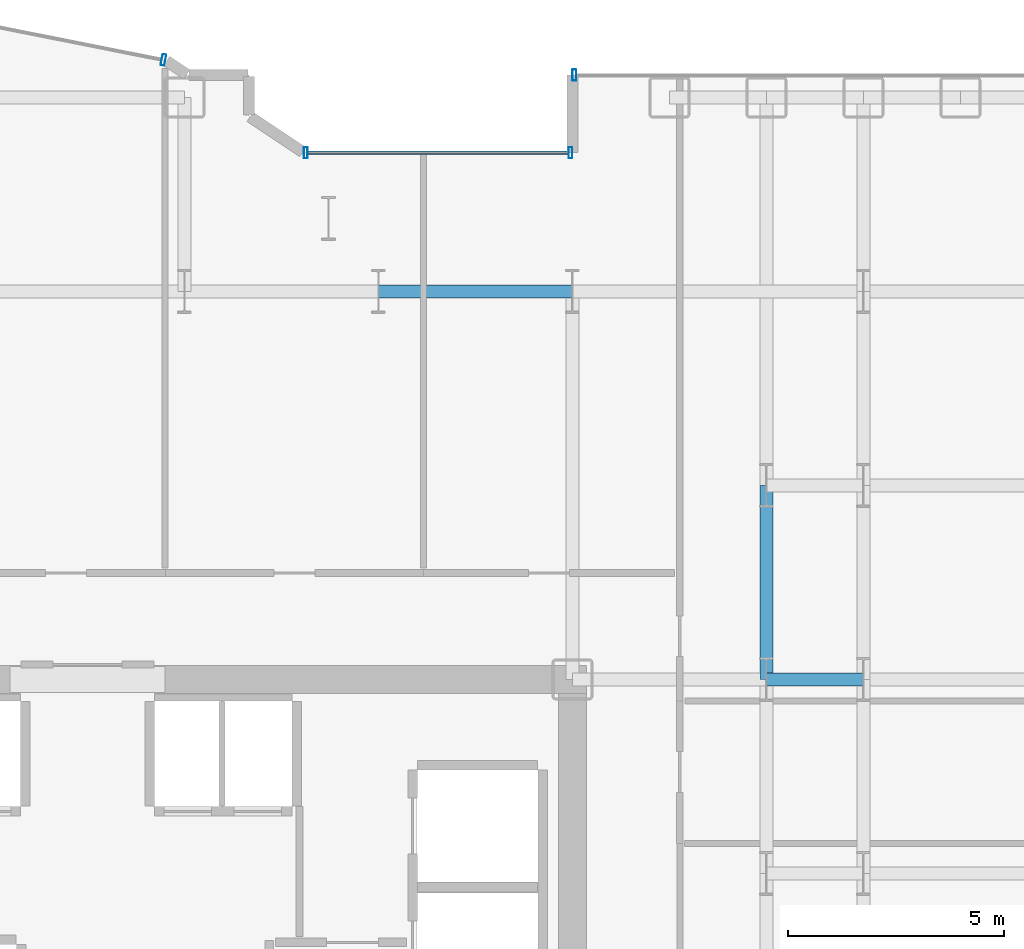
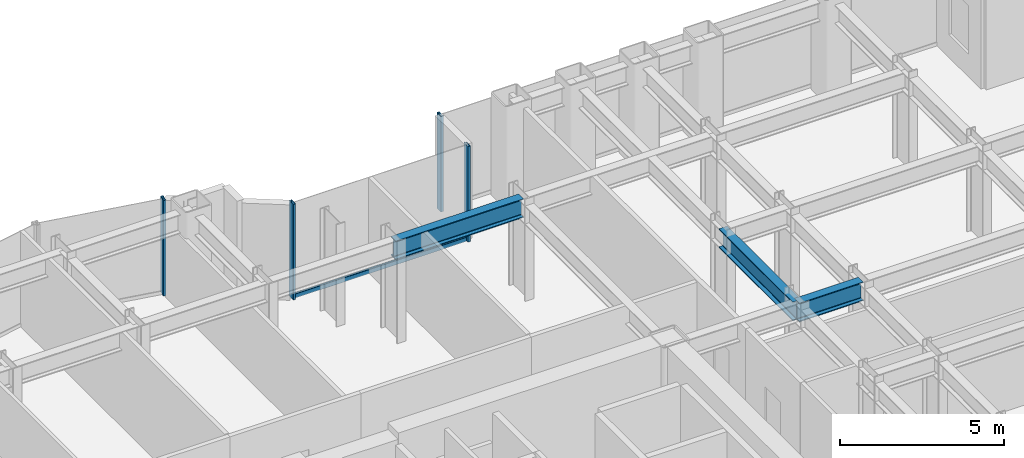
# One storey, part 12 of 26: 5 members, 3 beams, 3 elements without a shape of their own.
"""IFC4 building model written with IfcOpenShell, lengths in metres."""

import ifcopenshell
import ifcopenshell.guid

model = None  # the IFC model being written
_history = None  # IfcOwnerHistory: only IFC2X3 demands one
_inside = {}  # id of a spatial element -> (the spatial element, [elements in it])
_under = {}  # id of a project, library or spatial element -> (it, [spatial elements below it])
_declared = {}  # id of a project -> (the project, [libraries it declares])
_typed = {}  # id of a type object -> (the type object, [elements of that type])
_made_of = {}  # id of a material, layer set ... -> (it, [elements and type objects made of it])


def new_model(schema):
    """Start an empty IFC model of exactly this schema.

    Asked for "IFC4X3", IfcOpenShell would pick the latest addendum, in which some entities
    have other attributes; the version numbers below select the first issue.
    IFC2X3 requires an IfcOwnerHistory on every rooted entity: one is made here for all.
    """
    global model, _history
    if schema == "IFC4X3":
        model = ifcopenshell.file(schema_version=(4, 3, 0, 0))
    else:
        model = ifcopenshell.file(schema=schema)
    _inside.clear()
    _under.clear()
    _declared.clear()
    _typed.clear()
    _made_of.clear()
    _history = None
    if model.schema == "IFC2X3":
        org = make("IfcOrganization", Name="unknown")
        user = make(
            "IfcPersonAndOrganization",
            ThePerson=make("IfcPerson", FamilyName="unknown"),
            TheOrganization=org,
        )
        app = make(
            "IfcApplication",
            ApplicationDeveloper=org,
            Version="unknown",
            ApplicationFullName="unknown",
            ApplicationIdentifier="unknown",
        )
        _history = make(
            "IfcOwnerHistory",
            OwningUser=user,
            OwningApplication=app,
            ChangeAction="ADDED",
            CreationDate=0,
        )
    return model


def make(cls, **values):
    """One entity of the class cls with the attributes given. An attribute that is None is left unset."""
    return model.create_entity(
        cls, **{name: value for name, value in values.items() if value is not None}
    )


def rooted(cls, **values):
    """An entity with a GlobalId (a new one), such as an element, a storey or a relation."""
    return make(cls, GlobalId=ifcopenshell.guid.new(), OwnerHistory=_history, **values)


def si_unit(unit_type, name, prefix=None):
    """IfcSIUnit, for example si_unit("LENGTHUNIT", "METRE", prefix="MILLI")."""
    return make("IfcSIUnit", UnitType=unit_type, Prefix=prefix, Name=name)


def assignment(units):
    """IfcUnitAssignment: the units of a project."""
    return None if units is None else make("IfcUnitAssignment", Units=units)


def point(xyz):
    """IfcCartesianPoint."""
    return None if xyz is None else make("IfcCartesianPoint", Coordinates=xyz)


def direction(xyz):
    """IfcDirection."""
    return None if xyz is None else make("IfcDirection", DirectionRatios=xyz)


def frame(location, z_axis=None, x_axis=None):
    """IfcAxis2Placement3D, a coordinate frame: its origin and axes. An axis left out is left unset."""
    return make(
        "IfcAxis2Placement3D",
        Location=point(location),
        Axis=direction(z_axis),
        RefDirection=direction(x_axis),
    )


def frame_2d(location, x_axis=None):
    """IfcAxis2Placement2D, a coordinate frame in the plane: its origin and x axis."""
    return make(
        "IfcAxis2Placement2D", Location=point(location), RefDirection=direction(x_axis)
    )


def origin():
    """The frame at (0, 0, 0) with its axes left unset."""
    return frame((0.0, 0.0, 0.0))


def origin_2d():
    """The frame at (0, 0) in the plane with its x axis left unset."""
    return frame_2d((0.0, 0.0))


def place(relative_to, where):
    """IfcLocalPlacement: puts the frame where relative to a parent placement (None: the world)."""
    return make(
        "IfcLocalPlacement", PlacementRelTo=relative_to, RelativePlacement=where
    )


def context(
    kind, dimensions, precision=None, world=None, true_north=None, identifier=None
):
    """IfcGeometricRepresentationContext, for example the 3D "Model" context."""
    return make(
        "IfcGeometricRepresentationContext",
        ContextIdentifier=identifier,
        ContextType=kind,
        CoordinateSpaceDimension=dimensions,
        Precision=precision,
        WorldCoordinateSystem=world,
        TrueNorth=true_north,
    )


def subcontext(parent, identifier, kind, view, scale=None):
    """IfcGeometricRepresentationSubContext, for example "Body" below "Model"."""
    return make(
        "IfcGeometricRepresentationSubContext",
        ContextIdentifier=identifier,
        ContextType=kind,
        ParentContext=parent,
        TargetScale=scale,
        TargetView=view,
    )


def project(units=None, contexts=None):
    """IfcProject with its units and contexts."""
    return rooted(
        "IfcProject",
        Name="project",
        RepresentationContexts=contexts,
        UnitsInContext=assignment(units),
    )


def spatial(cls, under=None, at=None, **own):
    """A site, building, storey or space (cls), placed at a placement, below another one or the project."""
    s = rooted(cls, ObjectPlacement=at, **own)
    if under is not None:
        _under.setdefault(under.id(), (under, []))[1].append(s)
    return s


def profile(cls, at=None, kind="AREA", **sizes):
    """A parametric profile (cls). Its sizes go by their IFC names, for example OverallWidth=200.0."""
    return make(cls, ProfileType=kind, Position=at, **sizes)


def hollow_rectangle(**sizes):
    """IfcRectangleHollowProfileDef."""
    return profile("IfcRectangleHollowProfileDef", **sizes)


def i_section(**sizes):
    """IfcIShapeProfileDef."""
    return profile("IfcIShapeProfileDef", **sizes)


def extrude(swept, where, along, depth):
    """IfcExtrudedAreaSolid: the profile swept, set in the frame where, extruded along a direction by depth."""
    return make(
        "IfcExtrudedAreaSolid",
        SweptArea=swept,
        Position=where,
        ExtrudedDirection=direction(along),
        Depth=depth,
    )


def shape(context_of_items, identifier, shape_type, items):
    """IfcShapeRepresentation: the items that make up one representation, for example the "Body"."""
    return make(
        "IfcShapeRepresentation",
        ContextOfItems=context_of_items,
        RepresentationIdentifier=identifier,
        RepresentationType=shape_type,
        Items=items,
    )


def source(mapping_origin, context_of_items, identifier, shape_type, items):
    """IfcRepresentationMap: a shape defined once, which mapped items show again and again."""
    return make(
        "IfcRepresentationMap",
        MappingOrigin=mapping_origin,
        MappedRepresentation=shape(context_of_items, identifier, shape_type, items),
    )


def transform(
    local_origin,
    x_axis=None,
    y_axis=None,
    z_axis=None,
    scale=None,
    scale2=None,
    scale3=None,
    uniform=True,
):
    """IfcCartesianTransformationOperator3D, or its non-uniform kind. x_axis, y_axis, z_axis: its Axis1, 2, 3."""
    if uniform:
        return make(
            "IfcCartesianTransformationOperator3D",
            Axis1=direction(x_axis),
            Axis2=direction(y_axis),
            LocalOrigin=point(local_origin),
            Scale=scale,
            Axis3=direction(z_axis),
        )
    return make(
        "IfcCartesianTransformationOperator3DnonUniform",
        Axis1=direction(x_axis),
        Axis2=direction(y_axis),
        LocalOrigin=point(local_origin),
        Scale=scale,
        Axis3=direction(z_axis),
        Scale2=scale2,
        Scale3=scale3,
    )


def mapped(mapping_source, mapping_target):
    """IfcMappedItem: shows the shape of a source again, moved by a transform."""
    return make(
        "IfcMappedItem", MappingSource=mapping_source, MappingTarget=mapping_target
    )


def material(Name=None, Category=None):
    """IfcMaterial."""
    return make("IfcMaterial", Name=Name, Category=Category)


def layer(
    of_material, thickness, ventilated=None, Name=None, Category=None, Priority=None
):
    """IfcMaterialLayer: one layer of a wall or slab, of a material (None: an air gap)."""
    return make(
        "IfcMaterialLayer",
        Material=of_material,
        LayerThickness=thickness,
        IsVentilated=ventilated,
        Name=Name,
        Category=Category,
        Priority=Priority,
    )


def layer_set(layers, Name=None):
    """IfcMaterialLayerSet."""
    return make("IfcMaterialLayerSet", MaterialLayers=layers, LayerSetName=Name)


def material_profile(
    of_material, cross_section, Name=None, Category=None, Priority=None
):
    """IfcMaterialProfile: a cross section and its material."""
    return make(
        "IfcMaterialProfile",
        Name=Name,
        Material=of_material,
        Profile=cross_section,
        Priority=Priority,
        Category=Category,
    )


def profile_set(profiles, Name=None, composite=None):
    """IfcMaterialProfileSet."""
    return make(
        "IfcMaterialProfileSet",
        Name=Name,
        MaterialProfiles=profiles,
        CompositeProfile=composite,
    )


def made_of(thing, what):
    """Note that an element or type object is made of a material, layer set ...; save() writes the relation."""
    if what is not None:
        _made_of.setdefault(what.id(), (what, []))[1].append(thing)
    return thing


def type_object(cls, material=None, **own):
    """A type object (cls), such as IfcWallType, which elements share."""
    return made_of(rooted(cls, **own), material)


def element(
    cls,
    number,
    at=None,
    inside=None,
    cuts=None,
    type_object=None,
    material=None,
    context=None,
    identifier="Body",
    shape_type=None,
    held_by="IfcProductDefinitionShape",
    body=None,
    shapes=None,
    **own,
):
    """One element of the class cls, such as IfcWall. Its Tag is "e" and its number.

    at: its placement. inside: the storey or other place that contains it. cuts: it is an
    opening in that element (IfcRelVoidsElement). A single representation is given by context,
    identifier, shape_type and body (its items); several are given by shapes. held_by: the class
    of the entity that holds the representations. save() writes the other relations.
    """
    e = rooted(cls, Tag="e%d" % number, ObjectPlacement=at, **own)
    if body is not None:
        shapes = [shape(context, identifier, shape_type, body)]
    if shapes is not None:
        e.Representation = make(held_by, Representations=shapes)
    if inside is not None:
        _inside.setdefault(inside.id(), (inside, []))[1].append(e)
    if cuts is not None:
        rooted(
            "IfcRelVoidsElement", RelatingBuildingElement=cuts, RelatedOpeningElement=e
        )
    if type_object is not None:
        _typed.setdefault(type_object.id(), (type_object, []))[1].append(e)
    return made_of(e, material)


def aggregate(whole, parts):
    """IfcRelAggregates: a whole, such as a stair, and the parts it consists of."""
    return rooted("IfcRelAggregates", RelatingObject=whole, RelatedObjects=parts)


def save(model, path):
    """Write the relations noted so far, then the file.

    IfcRelAggregates (storeys below a building ...), IfcRelContainedInSpatialStructure (elements
    in a storey), IfcRelDefinesByType, IfcRelAssociatesMaterial and IfcRelDeclares: one each for
    every whole, place, type object, material and project.
    """
    for whole, parts in _under.values():
        aggregate(whole, parts)
    for where, things in _inside.values():
        rooted(
            "IfcRelContainedInSpatialStructure",
            RelatedElements=things,
            RelatingStructure=where,
        )
    for kind, things in _typed.values():
        rooted("IfcRelDefinesByType", RelatedObjects=things, RelatingType=kind)
    for what, things in _made_of.values():
        rooted("IfcRelAssociatesMaterial", RelatedObjects=things, RelatingMaterial=what)
    for by, libraries in _declared.values():
        rooted("IfcRelDeclares", RelatingContext=by, RelatedDefinitions=libraries)
    model.write(path)


model = new_model("IFC4")

# Units and contexts
model_context = context("Model", 3, precision=1e-05, world=origin(), true_north=direction((0.0, 1.0)))
body_context = subcontext(model_context, "Body", "Model", "MODEL_VIEW")
ifc_project = project(units=[si_unit("LENGTHUNIT", "METRE"), si_unit("AREAUNIT", "SQUARE_METRE"), si_unit("VOLUMEUNIT", "CUBIC_METRE"), si_unit("PLANEANGLEUNIT", "RADIAN"), si_unit("MASSUNIT", "GRAM", prefix="KILO")], contexts=[model_context])

# Site, building, storey
site_placement = place(None, origin())
site = spatial("IfcSite", under=ifc_project, at=site_placement, CompositionType="ELEMENT")
building_placement = place(site_placement, origin())
building = spatial("IfcBuilding", under=site, at=building_placement, Name="Nefas-Gora Pilgrimage Tower", CompositionType="ELEMENT")
storey_placement = place(building_placement, frame((0.0, 0.0, 59.60009765625)))
storey = spatial("IfcBuildingStorey", under=building, at=storey_placement, Name="L13", CompositionType="ELEMENT", Elevation=59.60009765625)

# Beams
ifc_material_1 = material(Name="Steel S355", Category="steel")
ifc_material_profile_1 = material_profile(ifc_material_1, i_section(OverallWidth=0.300048828125, OverallDepth=0.699951171875, WebThickness=0.01708984375, FlangeThickness=0.031982421875, FilletRadius=0.027099609375, at=origin_2d()), Name="HEB 700")
ifc_profile_set_1 = profile_set([ifc_material_profile_1], Name="Steel S355")
beam_type = type_object("IfcBeamType", Name="BM-GIR-HEB700", PredefinedType="BEAM", material=ifc_profile_set_1)
shared_shape_1 = source(origin(), body_context, "Body", "SweptSolid", [
    extrude(i_section(OverallWidth=0.300048828125, OverallDepth=0.699951171875, WebThickness=0.01708984375, FlangeThickness=0.031982421875, FilletRadius=0.027099609375, at=origin_2d()), origin(), (0.0, 0.0, 1.0), 4.5),
])
for number, where, z_axis, x_axis, name in (
    (1, (6.75, 18.0, 3.199951171875), (1.0, 0.0, 0.0), (0.0, 1.0, 0.0), "L13 G-02 beam"),
    (2, (15.75, 9.0, 3.199951171875), (0.0, 1.0, 0.0), (-1.0, 0.0, 0.0), "L13 G-02 beam"),
):
    element("IfcBeam", number, at=place(storey_placement, frame(where, z_axis=z_axis, x_axis=x_axis)), inside=storey, type_object=beam_type, Name=name, PredefinedType="BEAM", context=body_context, shape_type="MappedRepresentation", body=[
        mapped(shared_shape_1, transform((0.0, 0.0, 0.0), x_axis=(1.0, 0.0, 0.0), y_axis=(0.0, 1.0, 0.0), z_axis=(0.0, 0.0, 1.0), scale=1.0)),
    ])
shared_shape_2 = source(origin(), body_context, "Body", "SweptSolid", [
    extrude(i_section(OverallWidth=0.300048828125, OverallDepth=0.699951171875, WebThickness=0.01708984375, FlangeThickness=0.031982421875, FilletRadius=0.027099609375, at=origin_2d()), origin(), (0.0, 0.0, 1.0), 2.25),
])
beam_placement = place(storey_placement, frame((15.75, 9.0, 3.199951171875), z_axis=(1.0, 0.0, 0.0), x_axis=(0.0, 1.0, 0.0)))
element("IfcBeam", 3, at=beam_placement, inside=storey, type_object=beam_type, Name="L13 G-02 beam", PredefinedType="BEAM", context=body_context, shape_type="MappedRepresentation", body=[
    mapped(shared_shape_2, transform((0.0, 0.0, 0.0), x_axis=(1.0, 0.0, 0.0), y_axis=(0.0, 1.0, 0.0), z_axis=(0.0, 0.0, 1.0), scale=1.0)),
])

# Curtain wall, members
ifc_material_2 = material(Name="Dark ceramic-fritted solar-control aluminium-glass curtain wall", Category="aluminium")
ifc_layer_1 = layer(ifc_material_2, 0.219970703125)
ifc_layer_set_1 = layer_set([ifc_layer_1], Name="Dark ceramic-fritted solar-control aluminium-glass curtain wall")
curtain_wall_type_1 = type_object("IfcCurtainWallType", Name="CW-SYS-5", PredefinedType="NOTDEFINED", material=ifc_layer_set_1)
curtain_wall_1_placement = place(storey_placement, origin())
curtain_wall_1 = element("IfcCurtainWall", 4, at=curtain_wall_1_placement, inside=storey, type_object=curtain_wall_type_1, Name="L13 Unitised Curtain Wall CW5", PredefinedType="NOTDEFINED")
ifc_material_3 = material(Name="Anodised architectural aluminium", Category="aluminium")
ifc_material_profile_2 = material_profile(ifc_material_3, hollow_rectangle(XDim=0.080078125, YDim=0.159912109375, WallThickness=0.00439453125, InnerFilletRadius=0.00439453125, OuterFilletRadius=0.009033203125, at=origin_2d()), Name="ALU TRANSOM 80x160")
ifc_profile_set_2 = profile_set([ifc_material_profile_2], Name="Anodised architectural aluminium")
member_type_1 = type_object("IfcMemberType", Name="CWM-TRN-5", PredefinedType="USERDEFINED", material=ifc_profile_set_2)
shared_shape_3 = source(origin(), body_context, "Body", "SweptSolid", [
    extrude(hollow_rectangle(XDim=0.080078125, YDim=0.159912109375, WallThickness=0.00439453125, InnerFilletRadius=0.00439453125, OuterFilletRadius=0.009033203125, at=origin_2d()), origin(), (0.0, 0.0, 1.0), 6.052001953125),
])
member_1_placement = place(storey_placement, frame((11.159912109375, 21.219970703125, 0.0498046875), z_axis=(-1.0, 0.0, 0.0), x_axis=(0.0, -1.0, 0.0)))
member_1 = element("IfcMember", 5, at=member_1_placement, type_object=member_type_1, Name="CW5 Spandrel Transom", ObjectType="TRANSOM", PredefinedType="USERDEFINED", context=body_context, shape_type="MappedRepresentation", body=[
    mapped(shared_shape_3, transform((0.0, 0.0, 0.0), x_axis=(1.0, 0.0, 0.0), y_axis=(0.0, 1.0, 0.0), z_axis=(0.0, 0.0, 1.0), scale=1.0)),
])
ifc_material_profile_3 = material_profile(ifc_material_3, hollow_rectangle(XDim=0.090087890625, YDim=0.260009765625, WallThickness=0.006103515625, InnerFilletRadius=0.006103515625, OuterFilletRadius=0.011962890625, at=origin_2d()), Name="ALU MULLION 90x260")
ifc_profile_set_3 = profile_set([ifc_material_profile_3], Name="Anodised architectural aluminium")
member_type_2 = type_object("IfcMemberType", Name="CWM-MUL-5", PredefinedType="MULLION", material=ifc_profile_set_3)
shared_shape_4 = source(origin(), body_context, "Body", "SweptSolid", [
    extrude(hollow_rectangle(XDim=0.090087890625, YDim=0.260009765625, WallThickness=0.006103515625, InnerFilletRadius=0.006103515625, OuterFilletRadius=0.011962890625, at=origin_2d()), origin(), (0.0, 0.0, 1.0), 3.5498046875),
])
member_2_placement = place(storey_placement, frame((11.205078125, 21.219970703125, 0.0), z_axis=(0.0, 0.0, 1.0), x_axis=(-1.0, 0.0, 0.0)))
member_2 = element("IfcMember", 6, at=member_2_placement, type_object=member_type_2, Name="CW5 Mullion 1", PredefinedType="MULLION", context=body_context, shape_type="MappedRepresentation", body=[
    mapped(shared_shape_4, transform((0.0, 0.0, 0.0), x_axis=(1.0, 0.0, 0.0), y_axis=(0.0, 1.0, 0.0), z_axis=(0.0, 0.0, 1.0), scale=1.0)),
])
member_3_placement = place(storey_placement, frame((5.06298828125, 21.219970703125, 0.0), z_axis=(0.0, 0.0, 1.0), x_axis=(-1.0, 0.0, 0.0)))
member_3 = element("IfcMember", 7, at=member_3_placement, type_object=member_type_2, Name="CW5 Mullion 2", PredefinedType="MULLION", context=body_context, shape_type="MappedRepresentation", body=[
    mapped(shared_shape_4, transform((0.0, 0.0, 0.0), x_axis=(1.0, 0.0, 0.0), y_axis=(0.0, 1.0, 0.0), z_axis=(0.0, 0.0, 1.0), scale=1.0)),
])
aggregate(curtain_wall_1, [member_2, member_3, member_1])

# Curtain wall, member
curtain_wall_2_placement = place(storey_placement, origin())
curtain_wall_2 = element("IfcCurtainWall", 8, at=curtain_wall_2_placement, inside=storey, type_object=curtain_wall_type_1, Name="L13 Unitised Curtain Wall CW5", PredefinedType="NOTDEFINED")
member_4_placement = place(storey_placement, frame((1.76318359375, 23.3740234375, 0.0), z_axis=(0.0, 0.0, 1.0), x_axis=(-0.980782896852, 0.195102304554, 0.0)))
member_4 = element("IfcMember", 9, at=member_4_placement, type_object=member_type_2, Name="CW5 Mullion 1", PredefinedType="MULLION", context=body_context, shape_type="MappedRepresentation", body=[
    mapped(shared_shape_4, transform((0.0, 0.0, 0.0), x_axis=(1.0, 0.0, 0.0), y_axis=(0.0, 1.0, 0.0), z_axis=(0.0, 0.0, 1.0), scale=1.0)),
])
aggregate(curtain_wall_2, [member_4])

ifc_layer_2 = layer(ifc_material_2, 0.219970703125)
ifc_layer_set_2 = layer_set([ifc_layer_2], Name="Dark ceramic-fritted solar-control aluminium-glass curtain wall")
curtain_wall_type_2 = type_object("IfcCurtainWallType", Name="CW-SYS-2", PredefinedType="NOTDEFINED", material=ifc_layer_set_2)
curtain_wall_3_placement = place(storey_placement, origin())
curtain_wall_3 = element("IfcCurtainWall", 10, at=curtain_wall_3_placement, inside=storey, type_object=curtain_wall_type_2, Name="L13 Unitised Curtain Wall CW2", PredefinedType="NOTDEFINED")
ifc_material_profile_4 = material_profile(ifc_material_3, hollow_rectangle(XDim=0.090087890625, YDim=0.260009765625, WallThickness=0.006103515625, InnerFilletRadius=0.006103515625, OuterFilletRadius=0.011962890625, at=origin_2d()), Name="ALU MULLION 90x260")
ifc_profile_set_4 = profile_set([ifc_material_profile_4], Name="Anodised architectural aluminium")
member_type_3 = type_object("IfcMemberType", Name="CWM-MUL-2", PredefinedType="MULLION", material=ifc_profile_set_4)
shared_shape_5 = source(origin(), body_context, "Body", "SweptSolid", [
    extrude(hollow_rectangle(XDim=0.090087890625, YDim=0.260009765625, WallThickness=0.006103515625, InnerFilletRadius=0.006103515625, OuterFilletRadius=0.011962890625, at=origin_2d()), origin(), (0.0, 0.0, 1.0), 3.5498046875),
])
member_5_placement = place(storey_placement, frame((11.294921875, 23.02001953125, 0.0), z_axis=(0.0, 0.0, 1.0), x_axis=(-1.0, 0.0, 0.0)))
member_5 = element("IfcMember", 11, at=member_5_placement, type_object=member_type_3, Name="CW2 Mullion 2", PredefinedType="MULLION", context=body_context, shape_type="MappedRepresentation", body=[
    mapped(shared_shape_5, transform((0.0, 0.0, 0.0), x_axis=(1.0, 0.0, 0.0), y_axis=(0.0, 1.0, 0.0), z_axis=(0.0, 0.0, 1.0), scale=1.0)),
])
aggregate(curtain_wall_3, [member_5])

save(model, "model.ifc")
